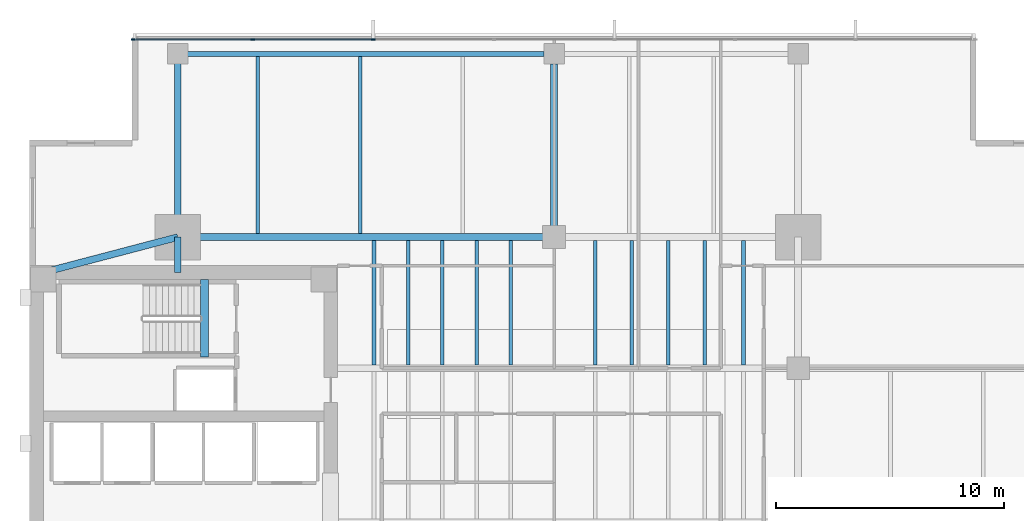
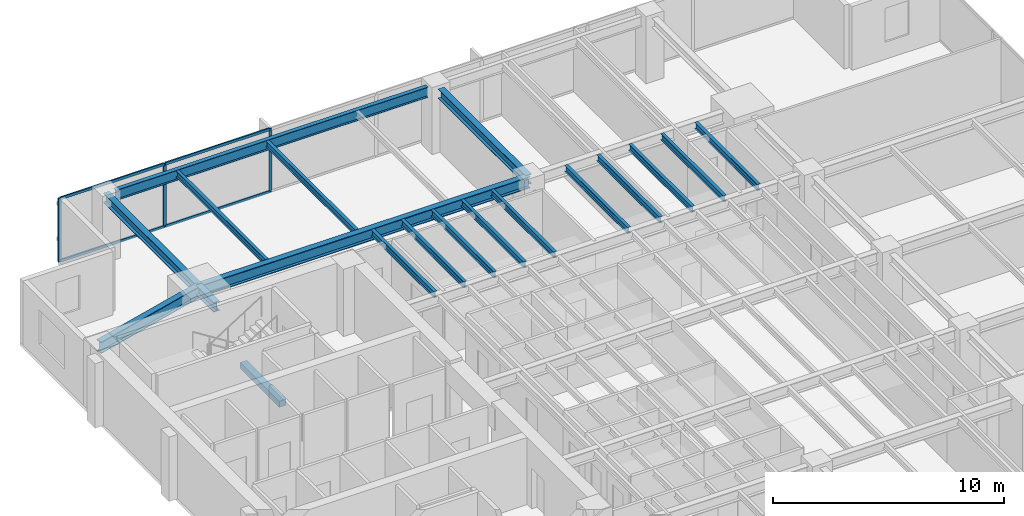
# One storey, part 5 of 14: 19 beams, 7 members, 1 element without a shape of its own.
"""IFC4 building model written with IfcOpenShell, lengths in metres."""

import ifcopenshell
import ifcopenshell.guid

model = None  # the IFC model being written
_history = None  # IfcOwnerHistory: only IFC2X3 demands one
_inside = {}  # id of a spatial element -> (the spatial element, [elements in it])
_under = {}  # id of a project, library or spatial element -> (it, [spatial elements below it])
_declared = {}  # id of a project -> (the project, [libraries it declares])
_typed = {}  # id of a type object -> (the type object, [elements of that type])
_made_of = {}  # id of a material, layer set ... -> (it, [elements and type objects made of it])


def new_model(schema):
    """Start an empty IFC model of exactly this schema.

    Asked for "IFC4X3", IfcOpenShell would pick the latest addendum, in which some entities
    have other attributes; the version numbers below select the first issue.
    IFC2X3 requires an IfcOwnerHistory on every rooted entity: one is made here for all.
    """
    global model, _history
    if schema == "IFC4X3":
        model = ifcopenshell.file(schema_version=(4, 3, 0, 0))
    else:
        model = ifcopenshell.file(schema=schema)
    _inside.clear()
    _under.clear()
    _declared.clear()
    _typed.clear()
    _made_of.clear()
    _history = None
    if model.schema == "IFC2X3":
        org = make("IfcOrganization", Name="unknown")
        user = make(
            "IfcPersonAndOrganization",
            ThePerson=make("IfcPerson", FamilyName="unknown"),
            TheOrganization=org,
        )
        app = make(
            "IfcApplication",
            ApplicationDeveloper=org,
            Version="unknown",
            ApplicationFullName="unknown",
            ApplicationIdentifier="unknown",
        )
        _history = make(
            "IfcOwnerHistory",
            OwningUser=user,
            OwningApplication=app,
            ChangeAction="ADDED",
            CreationDate=0,
        )
    return model


def make(cls, **values):
    """One entity of the class cls with the attributes given. An attribute that is None is left unset."""
    return model.create_entity(
        cls, **{name: value for name, value in values.items() if value is not None}
    )


def rooted(cls, **values):
    """An entity with a GlobalId (a new one), such as an element, a storey or a relation."""
    return make(cls, GlobalId=ifcopenshell.guid.new(), OwnerHistory=_history, **values)


def si_unit(unit_type, name, prefix=None):
    """IfcSIUnit, for example si_unit("LENGTHUNIT", "METRE", prefix="MILLI")."""
    return make("IfcSIUnit", UnitType=unit_type, Prefix=prefix, Name=name)


def assignment(units):
    """IfcUnitAssignment: the units of a project."""
    return None if units is None else make("IfcUnitAssignment", Units=units)


def point(xyz):
    """IfcCartesianPoint."""
    return None if xyz is None else make("IfcCartesianPoint", Coordinates=xyz)


def direction(xyz):
    """IfcDirection."""
    return None if xyz is None else make("IfcDirection", DirectionRatios=xyz)


def frame(location, z_axis=None, x_axis=None):
    """IfcAxis2Placement3D, a coordinate frame: its origin and axes. An axis left out is left unset."""
    return make(
        "IfcAxis2Placement3D",
        Location=point(location),
        Axis=direction(z_axis),
        RefDirection=direction(x_axis),
    )


def frame_2d(location, x_axis=None):
    """IfcAxis2Placement2D, a coordinate frame in the plane: its origin and x axis."""
    return make(
        "IfcAxis2Placement2D", Location=point(location), RefDirection=direction(x_axis)
    )


def origin():
    """The frame at (0, 0, 0) with its axes left unset."""
    return frame((0.0, 0.0, 0.0))


def origin_2d():
    """The frame at (0, 0) in the plane with its x axis left unset."""
    return frame_2d((0.0, 0.0))


def place(relative_to, where):
    """IfcLocalPlacement: puts the frame where relative to a parent placement (None: the world)."""
    return make(
        "IfcLocalPlacement", PlacementRelTo=relative_to, RelativePlacement=where
    )


def context(
    kind, dimensions, precision=None, world=None, true_north=None, identifier=None
):
    """IfcGeometricRepresentationContext, for example the 3D "Model" context."""
    return make(
        "IfcGeometricRepresentationContext",
        ContextIdentifier=identifier,
        ContextType=kind,
        CoordinateSpaceDimension=dimensions,
        Precision=precision,
        WorldCoordinateSystem=world,
        TrueNorth=true_north,
    )


def subcontext(parent, identifier, kind, view, scale=None):
    """IfcGeometricRepresentationSubContext, for example "Body" below "Model"."""
    return make(
        "IfcGeometricRepresentationSubContext",
        ContextIdentifier=identifier,
        ContextType=kind,
        ParentContext=parent,
        TargetScale=scale,
        TargetView=view,
    )


def project(units=None, contexts=None):
    """IfcProject with its units and contexts."""
    return rooted(
        "IfcProject",
        Name="project",
        RepresentationContexts=contexts,
        UnitsInContext=assignment(units),
    )


def spatial(cls, under=None, at=None, **own):
    """A site, building, storey or space (cls), placed at a placement, below another one or the project."""
    s = rooted(cls, ObjectPlacement=at, **own)
    if under is not None:
        _under.setdefault(under.id(), (under, []))[1].append(s)
    return s


def profile(cls, at=None, kind="AREA", **sizes):
    """A parametric profile (cls). Its sizes go by their IFC names, for example OverallWidth=200.0."""
    return make(cls, ProfileType=kind, Position=at, **sizes)


def rectangle(**sizes):
    """IfcRectangleProfileDef."""
    return profile("IfcRectangleProfileDef", **sizes)


def i_section(**sizes):
    """IfcIShapeProfileDef."""
    return profile("IfcIShapeProfileDef", **sizes)


def extrude(swept, where, along, depth):
    """IfcExtrudedAreaSolid: the profile swept, set in the frame where, extruded along a direction by depth."""
    return make(
        "IfcExtrudedAreaSolid",
        SweptArea=swept,
        Position=where,
        ExtrudedDirection=direction(along),
        Depth=depth,
    )


def shape(context_of_items, identifier, shape_type, items):
    """IfcShapeRepresentation: the items that make up one representation, for example the "Body"."""
    return make(
        "IfcShapeRepresentation",
        ContextOfItems=context_of_items,
        RepresentationIdentifier=identifier,
        RepresentationType=shape_type,
        Items=items,
    )


def material(Name=None, Category=None):
    """IfcMaterial."""
    return make("IfcMaterial", Name=Name, Category=Category)


def layer(
    of_material, thickness, ventilated=None, Name=None, Category=None, Priority=None
):
    """IfcMaterialLayer: one layer of a wall or slab, of a material (None: an air gap)."""
    return make(
        "IfcMaterialLayer",
        Material=of_material,
        LayerThickness=thickness,
        IsVentilated=ventilated,
        Name=Name,
        Category=Category,
        Priority=Priority,
    )


def layer_set(layers, Name=None):
    """IfcMaterialLayerSet."""
    return make("IfcMaterialLayerSet", MaterialLayers=layers, LayerSetName=Name)


def material_profile(
    of_material, cross_section, Name=None, Category=None, Priority=None
):
    """IfcMaterialProfile: a cross section and its material."""
    return make(
        "IfcMaterialProfile",
        Name=Name,
        Material=of_material,
        Profile=cross_section,
        Priority=Priority,
        Category=Category,
    )


def profile_set(profiles, Name=None, composite=None):
    """IfcMaterialProfileSet."""
    return make(
        "IfcMaterialProfileSet",
        Name=Name,
        MaterialProfiles=profiles,
        CompositeProfile=composite,
    )


def made_of(thing, what):
    """Note that an element or type object is made of a material, layer set ...; save() writes the relation."""
    if what is not None:
        _made_of.setdefault(what.id(), (what, []))[1].append(thing)
    return thing


def type_object(cls, material=None, **own):
    """A type object (cls), such as IfcWallType, which elements share."""
    return made_of(rooted(cls, **own), material)


def element(
    cls,
    number,
    at=None,
    inside=None,
    cuts=None,
    type_object=None,
    material=None,
    context=None,
    identifier="Body",
    shape_type=None,
    held_by="IfcProductDefinitionShape",
    body=None,
    shapes=None,
    **own,
):
    """One element of the class cls, such as IfcWall. Its Tag is "e" and its number.

    at: its placement. inside: the storey or other place that contains it. cuts: it is an
    opening in that element (IfcRelVoidsElement). A single representation is given by context,
    identifier, shape_type and body (its items); several are given by shapes. held_by: the class
    of the entity that holds the representations. save() writes the other relations.
    """
    e = rooted(cls, Tag="e%d" % number, ObjectPlacement=at, **own)
    if body is not None:
        shapes = [shape(context, identifier, shape_type, body)]
    if shapes is not None:
        e.Representation = make(held_by, Representations=shapes)
    if inside is not None:
        _inside.setdefault(inside.id(), (inside, []))[1].append(e)
    if cuts is not None:
        rooted(
            "IfcRelVoidsElement", RelatingBuildingElement=cuts, RelatedOpeningElement=e
        )
    if type_object is not None:
        _typed.setdefault(type_object.id(), (type_object, []))[1].append(e)
    return made_of(e, material)


def aggregate(whole, parts):
    """IfcRelAggregates: a whole, such as a stair, and the parts it consists of."""
    return rooted("IfcRelAggregates", RelatingObject=whole, RelatedObjects=parts)


def save(model, path):
    """Write the relations noted so far, then the file.

    IfcRelAggregates (storeys below a building ...), IfcRelContainedInSpatialStructure (elements
    in a storey), IfcRelDefinesByType, IfcRelAssociatesMaterial and IfcRelDeclares: one each for
    every whole, place, type object, material and project.
    """
    for whole, parts in _under.values():
        aggregate(whole, parts)
    for where, things in _inside.values():
        rooted(
            "IfcRelContainedInSpatialStructure",
            RelatedElements=things,
            RelatingStructure=where,
        )
    for kind, things in _typed.values():
        rooted("IfcRelDefinesByType", RelatedObjects=things, RelatingType=kind)
    for what, things in _made_of.values():
        rooted("IfcRelAssociatesMaterial", RelatedObjects=things, RelatingMaterial=what)
    for by, libraries in _declared.values():
        rooted("IfcRelDeclares", RelatingContext=by, RelatedDefinitions=libraries)
    model.write(path)


model = new_model("IFC4")

# Units and contexts
model_context = context("Model", 3, precision=1e-05, world=origin(), true_north=direction((0.0, 1.0)))
body_context = subcontext(model_context, "Body", "Model", "MODEL_VIEW")
ifc_project = project(units=[si_unit("LENGTHUNIT", "METRE"), si_unit("AREAUNIT", "SQUARE_METRE"), si_unit("VOLUMEUNIT", "CUBIC_METRE"), si_unit("PLANEANGLEUNIT", "RADIAN"), si_unit("MASSUNIT", "GRAM", prefix="KILO")], contexts=[model_context])

# Site, building, storey
site_placement = place(None, origin())
site = spatial("IfcSite", under=ifc_project, at=site_placement, CompositionType="ELEMENT")
building_placement = place(site_placement, origin())
building = spatial("IfcBuilding", under=site, at=building_placement, Name="Kinhvarn Gate Tower", CompositionType="ELEMENT")
storey_placement = place(building_placement, frame((0.0, 0.0, 148.39990234375)))
storey = spatial("IfcBuildingStorey", under=building, at=storey_placement, Name="L39", CompositionType="ELEMENT", Elevation=148.39990234375)

# Beam
ifc_material_1 = material(Name="Concrete C50/60", Category="concrete")
ifc_material_profile_1 = material_profile(ifc_material_1, rectangle(XDim=0.340087890625, YDim=0.320068359375, at=origin_2d()), Name="RC 340x320")
ifc_profile_set_1 = profile_set([ifc_material_profile_1], Name="Concrete C50/60")
beam_type_1 = type_object("IfcBeamType", Name="BM-LND-500", PredefinedType="BEAM", material=ifc_profile_set_1)
beam_1_placement = place(storey_placement, frame((12.1650390625, 32.5, -0.159912109375), z_axis=(0.0, 1.0, 0.0), x_axis=(-1.0, 0.0, 0.0)))
element("IfcBeam", 1, at=beam_1_placement, inside=storey, type_object=beam_type_1, Name="Stair ST2 Landing Nosing Beam (L39)", PredefinedType="BEAM", context=body_context, shape_type="SweptSolid", body=[
    extrude(rectangle(XDim=0.340087890625, YDim=0.320068359375, at=origin_2d()), origin(), (0.0, 0.0, 1.0), 3.39990234375),
])

# Curtain wall, members
ifc_material_2 = material(Name="Anodised aluminium AW-6063", Category="aluminium")
ifc_layer = layer(ifc_material_2, 0.179931640625)
ifc_layer_set = layer_set([ifc_layer], Name="Anodised aluminium AW-6063")
curtain_wall_type = type_object("IfcCurtainWallType", Name="CW-SYS-3", PredefinedType="NOTDEFINED", material=ifc_layer_set)
curtain_wall_placement = place(storey_placement, origin())
curtain_wall = element("IfcCurtainWall", 2, at=curtain_wall_placement, inside=storey, type_object=curtain_wall_type, Name="Curtain Wall CW3 (L39)", PredefinedType="NOTDEFINED")
ifc_material_profile_2 = material_profile(ifc_material_2, rectangle(XDim=0.06494140625, YDim=0.159912109375, at=origin_2d()), Name="ALU 65x160")
ifc_profile_set_2 = profile_set([ifc_material_profile_2], Name="Anodised aluminium AW-6063")
member_type_1 = type_object("IfcMemberType", Name="CW-MUL-160", PredefinedType="MULLION", material=ifc_profile_set_2)
member_1_placement = place(storey_placement, frame((19.571533203125, 46.409912109375, 0.0), z_axis=(0.0, 0.0, 1.0), x_axis=(0.0, -1.0, 0.0)))
member_1 = element("IfcMember", 3, at=member_1_placement, type_object=member_type_1, Name="CW3 mullion 6", PredefinedType="MULLION", context=body_context, shape_type="SweptSolid", body=[
    extrude(rectangle(XDim=0.06494140625, YDim=0.159912109375, at=origin_2d()), origin(), (0.0, 0.0, 1.0), 3.3701171875),
])
member_2_placement = place(storey_placement, frame((14.28564453125, 46.409912109375, 0.0), z_axis=(0.0, 0.0, 1.0), x_axis=(0.0, -1.0, 0.0)))
member_2 = element("IfcMember", 4, at=member_2_placement, type_object=member_type_1, Name="CW3 mullion 7", PredefinedType="MULLION", context=body_context, shape_type="SweptSolid", body=[
    extrude(rectangle(XDim=0.06494140625, YDim=0.159912109375, at=origin_2d()), origin(), (0.0, 0.0, 1.0), 3.3701171875),
])
member_3_placement = place(storey_placement, frame((9.032470703125, 46.409912109375, 0.0), z_axis=(0.0, 0.0, 1.0), x_axis=(0.0, -1.0, 0.0)))
member_3 = element("IfcMember", 5, at=member_3_placement, type_object=member_type_1, Name="CW3 mullion 8", PredefinedType="MULLION", context=body_context, shape_type="SweptSolid", body=[
    extrude(rectangle(XDim=0.06494140625, YDim=0.159912109375, at=origin_2d()), origin(), (0.0, 0.0, 1.0), 3.3701171875),
])
ifc_material_profile_3 = material_profile(ifc_material_2, rectangle(XDim=0.070068359375, YDim=0.139892578125, at=origin_2d()), Name="ALU 70x140")
ifc_profile_set_3 = profile_set([ifc_material_profile_3], Name="Anodised aluminium AW-6063")
member_type_2 = type_object("IfcMemberType", Name="CW-TRN-140", PredefinedType="USERDEFINED", material=ifc_profile_set_3)
member_4_placement = place(storey_placement, frame((19.538818359375, 46.409912109375, 0.03515625), z_axis=(-1.0, 0.0, 0.0), x_axis=(0.0, -1.0, 0.0)))
member_4 = element("IfcMember", 6, at=member_4_placement, type_object=member_type_2, Name="CW3 transom 6.1", ObjectType="TRANSOM", PredefinedType="USERDEFINED", context=body_context, shape_type="SweptSolid", body=[
    extrude(rectangle(XDim=0.070068359375, YDim=0.139892578125, at=origin_2d()), origin(), (0.0, 0.0, 1.0), 5.220703125),
])
member_5_placement = place(storey_placement, frame((19.538818359375, 46.409912109375, 3.335205078125), z_axis=(-1.0, 0.0, 0.0), x_axis=(0.0, -1.0, 0.0)))
member_5 = element("IfcMember", 7, at=member_5_placement, type_object=member_type_2, Name="CW3 transom 6.2", ObjectType="TRANSOM", PredefinedType="USERDEFINED", context=body_context, shape_type="SweptSolid", body=[
    extrude(rectangle(XDim=0.070068359375, YDim=0.139892578125, at=origin_2d()), origin(), (0.0, 0.0, 1.0), 5.220703125),
])
member_6_placement = place(storey_placement, frame((14.253173828125, 46.409912109375, 0.03515625), z_axis=(-1.0, 0.0, 0.0), x_axis=(0.0, -1.0, 0.0)))
member_6 = element("IfcMember", 8, at=member_6_placement, type_object=member_type_2, Name="CW3 transom 7.1", ObjectType="TRANSOM", PredefinedType="USERDEFINED", context=body_context, shape_type="SweptSolid", body=[
    extrude(rectangle(XDim=0.070068359375, YDim=0.139892578125, at=origin_2d()), origin(), (0.0, 0.0, 1.0), 5.188232421875),
])
member_7_placement = place(storey_placement, frame((14.253173828125, 46.409912109375, 3.335205078125), z_axis=(-1.0, 0.0, 0.0), x_axis=(0.0, -1.0, 0.0)))
member_7 = element("IfcMember", 9, at=member_7_placement, type_object=member_type_2, Name="CW3 transom 7.2", ObjectType="TRANSOM", PredefinedType="USERDEFINED", context=body_context, shape_type="SweptSolid", body=[
    extrude(rectangle(XDim=0.070068359375, YDim=0.139892578125, at=origin_2d()), origin(), (0.0, 0.0, 1.0), 5.188232421875),
])
aggregate(curtain_wall, [member_1, member_2, member_3, member_4, member_5, member_6, member_7])

# Beams
ifc_material_3 = material(Name="Steel S355", Category="steel")
ifc_material_profile_4 = material_profile(ifc_material_3, i_section(OverallWidth=0.300048828125, OverallDepth=0.5, WebThickness=0.014404296875, FlangeThickness=0.028076171875, at=origin_2d()), Name="HEB 500")
ifc_profile_set_4 = profile_set([ifc_material_profile_4], Name="Steel S355")
beam_type_2 = type_object("IfcBeamType", Name="STL-HEB500", PredefinedType="BEAM", material=ifc_profile_set_4)
beam_2_placement = place(storey_placement, frame((11.0, 36.199951171875, 3.1201171875), z_axis=(0.0, 1.0, 0.0), x_axis=(-1.0, 0.0, 0.0)))
element("IfcBeam", 10, at=beam_2_placement, inside=storey, type_object=beam_type_2, Name="Floor Beam PG-14 (L39 MCW-CN)", PredefinedType="BEAM", context=body_context, shape_type="SweptSolid", body=[
    extrude(i_section(OverallWidth=0.300048828125, OverallDepth=0.5, WebThickness=0.014404296875, FlangeThickness=0.028076171875, at=origin_2d()), origin(), (0.0, 0.0, 1.0), 1.550048828125),
])
beam_3_placement = place(storey_placement, frame((11.0, 37.75, 3.1201171875), z_axis=(0.0, 1.0, 0.0), x_axis=(-1.0, 0.0, 0.0)))
element("IfcBeam", 11, at=beam_3_placement, inside=storey, type_object=beam_type_2, Name="Floor Beam PG-14 (L39 MCW-N)", PredefinedType="BEAM", context=body_context, shape_type="SweptSolid", body=[
    extrude(i_section(OverallWidth=0.300048828125, OverallDepth=0.5, WebThickness=0.014404296875, FlangeThickness=0.028076171875, at=origin_2d()), origin(), (0.0, 0.0, 1.0), 8.030029296875),
])
beam_4_placement = place(storey_placement, frame((27.5, 37.75, 3.1201171875), z_axis=(0.0, 1.0, 0.0), x_axis=(-1.0, 0.0, 0.0)))
element("IfcBeam", 12, at=beam_4_placement, inside=storey, type_object=beam_type_2, Name="Floor Beam PG-14 (L39 SP27-N-TIE)", PredefinedType="BEAM", context=body_context, shape_type="SweptSolid", body=[
    extrude(i_section(OverallWidth=0.300048828125, OverallDepth=0.5, WebThickness=0.014404296875, FlangeThickness=0.028076171875, at=origin_2d()), origin(), (0.0, 0.0, 1.0), 7.594970703125),
])
ifc_material_profile_5 = material_profile(ifc_material_3, i_section(OverallWidth=0.300048828125, OverallDepth=0.60009765625, WebThickness=0.015380859375, FlangeThickness=0.030029296875, at=origin_2d()), Name="HEB 600")
ifc_profile_set_5 = profile_set([ifc_material_profile_5], Name="Steel S355")
beam_type_3 = type_object("IfcBeamType", Name="STL-HEB600", PredefinedType="BEAM", material=ifc_profile_set_5)
beam_5_placement = place(storey_placement, frame((11.0, 37.75, 3.070068359375), z_axis=(1.0, 0.0, 0.0), x_axis=(0.0, 1.0, 0.0)))
element("IfcBeam", 13, at=beam_5_placement, inside=storey, type_object=beam_type_3, Name="Floor Beam PG-16 (L39 MG-N1)", PredefinedType="BEAM", context=body_context, shape_type="SweptSolid", body=[
    extrude(i_section(OverallWidth=0.300048828125, OverallDepth=0.60009765625, WebThickness=0.015380859375, FlangeThickness=0.030029296875, at=origin_2d()), origin(), (0.0, 0.0, 1.0), 16.5),
])
beam_6_placement = place(storey_placement, frame((5.10009765625, 36.199951171875, 3.070068359375), z_axis=(0.967177623957, 0.254101246979, 0.0), x_axis=(-0.254101246979, 0.967177623957, 0.0)))
element("IfcBeam", 14, at=beam_6_placement, inside=storey, type_object=beam_type_3, Name="Floor Beam PG-16 (L39 MG-NW-DIAG)", PredefinedType="BEAM", context=body_context, shape_type="SweptSolid", body=[
    extrude(i_section(OverallWidth=0.300048828125, OverallDepth=0.60009765625, WebThickness=0.015380859375, FlangeThickness=0.030029296875, at=origin_2d()), origin(), (0.0, 0.0, 1.0), 6.10009765625),
])
ifc_material_profile_6 = material_profile(ifc_material_3, i_section(OverallWidth=0.159912109375, OverallDepth=0.330078125, WebThickness=0.007568359375, FlangeThickness=0.011474609375, at=origin_2d()), Name="IPE 330")
ifc_profile_set_6 = profile_set([ifc_material_profile_6], Name="Steel S355")
beam_type_4 = type_object("IfcBeamType", Name="STL-IPE330", PredefinedType="JOIST", material=ifc_profile_set_6)
for number, where, z_axis, x_axis, name in (
    (15, (19.60009765625, 32.14990234375, 3.205078125), (0.0, 1.0, 0.0), (-1.0, 0.0, 0.0), "Floor Joist SB-03 (L39 JC-X196-3)"),
    (16, (21.10009765625, 32.14990234375, 3.205078125), (0.0, 1.0, 0.0), (-1.0, 0.0, 0.0), "Floor Joist SB-03 (L39 JC-X211-3)"),
    (17, (22.60009765625, 32.14990234375, 3.205078125), (0.0, 1.0, 0.0), (-1.0, 0.0, 0.0), "Floor Joist SB-03 (L39 JC-X226-3)"),
    (18, (24.10009765625, 32.14990234375, 3.205078125), (0.0, 1.0, 0.0), (-1.0, 0.0, 0.0), "Floor Joist SB-03 (L39 JC-X241-3)"),
    (19, (25.60009765625, 32.14990234375, 3.205078125), (0.0, 1.0, 0.0), (-1.0, 0.0, 0.0), "Floor Joist SB-03 (L39 JC-X256-3)"),
    (20, (29.300048828125, 32.14990234375, 3.205078125), (0.0, 1.0, 0.0), (-1.0, 0.0, 0.0), "Floor Joist SB-03 (L39 JC-X293-3)"),
    (21, (30.89990234375, 32.14990234375, 3.205078125), (0.0, 1.0, 0.0), (-1.0, 0.0, 0.0), "Floor Joist SB-03 (L39 JC-X309-3)"),
    (22, (32.5, 32.14990234375, 3.205078125), (0.0, 1.0, 0.0), (-1.0, 0.0, 0.0), "Floor Joist SB-03 (L39 JC-X325-3)"),
    (23, (34.10009765625, 32.14990234375, 3.205078125), (0.0, 1.0, 0.0), (-1.0, 0.0, 0.0), "Floor Joist SB-03 (L39 JC-X341-3)"),
    (24, (35.800048828125, 32.14990234375, 3.205078125), (0.0, 1.0, 0.0), (-1.0, 0.0, 0.0), "Floor Joist SB-03 (L39 JC-X358-3)"),
):
    element("IfcBeam", number, at=place(storey_placement, frame(where, z_axis=z_axis, x_axis=x_axis)), inside=storey, type_object=beam_type_4, Name=name, PredefinedType="JOIST", context=body_context, shape_type="SweptSolid", body=[
        extrude(i_section(OverallWidth=0.159912109375, OverallDepth=0.330078125, WebThickness=0.007568359375, FlangeThickness=0.011474609375, at=origin_2d()), origin(), (0.0, 0.0, 1.0), 5.4501953125),
    ])
for number, where, z_axis, x_axis, name in (
    (25, (14.5, 37.89990234375, 3.205078125), (0.0, 1.0, 0.0), (-1.0, 0.0, 0.0), "Floor Joist SB-03 (L39 JN-X145)"),
    (26, (19.0, 37.89990234375, 3.205078125), (0.0, 1.0, 0.0), (-1.0, 0.0, 0.0), "Floor Joist SB-03 (L39 JN-X190)"),
):
    element("IfcBeam", number, at=place(storey_placement, frame(where, z_axis=z_axis, x_axis=x_axis)), inside=storey, type_object=beam_type_4, Name=name, PredefinedType="JOIST", context=body_context, shape_type="SweptSolid", body=[
        extrude(i_section(OverallWidth=0.159912109375, OverallDepth=0.330078125, WebThickness=0.007568359375, FlangeThickness=0.011474609375, at=origin_2d()), origin(), (0.0, 0.0, 1.0), 7.775146484375),
    ])
ifc_material_profile_7 = material_profile(ifc_material_3, i_section(OverallWidth=0.2099609375, OverallDepth=0.550048828125, WebThickness=0.010986328125, FlangeThickness=0.01708984375, at=origin_2d()), Name="IPE 550")
ifc_profile_set_7 = profile_set([ifc_material_profile_7], Name="Steel S355")
beam_type_5 = type_object("IfcBeamType", Name="STL-IPE550", PredefinedType="SPANDREL", material=ifc_profile_set_7)
beam_7_placement = place(storey_placement, frame((11.43505859375, 45.780029296875, 3.09521484375), z_axis=(1.0, 0.0, 0.0), x_axis=(0.0, 1.0, 0.0)))
element("IfcBeam", 27, at=beam_7_placement, inside=storey, type_object=beam_type_5, Name="Floor Spandrel SB-08 (L39 SP-N1)", PredefinedType="SPANDREL", context=body_context, shape_type="SweptSolid", body=[
    extrude(i_section(OverallWidth=0.2099609375, OverallDepth=0.550048828125, WebThickness=0.010986328125, FlangeThickness=0.01708984375, at=origin_2d()), origin(), (0.0, 0.0, 1.0), 15.6298828125),
])

save(model, "model.ifc")
